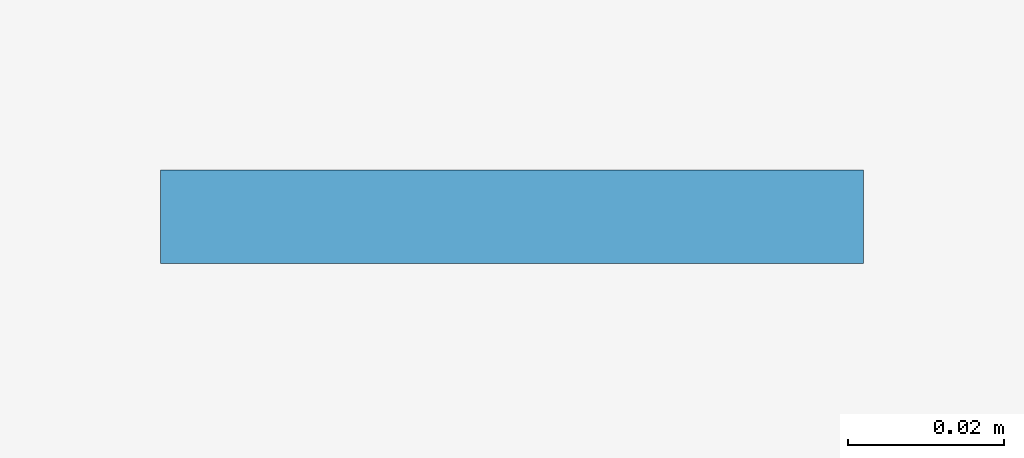
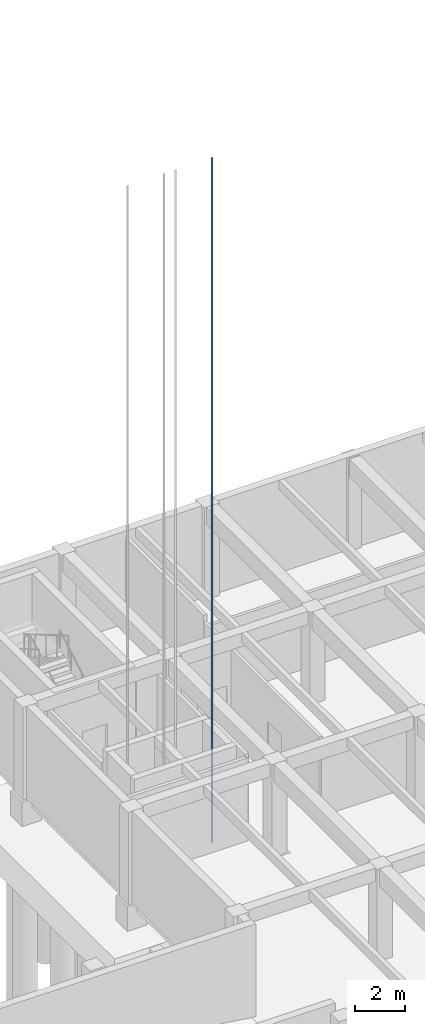
# One storey, part 12 of 44: 1 plate.
"""IFC4 building model written with IfcOpenShell, lengths in metres."""

from ifc_helpers import new_model, si_unit, direction, frame, origin, origin_2d, place, context, subcontext, project, spatial, rectangle, extrude, material, layer, layer_set, type_object, element, save


model = new_model("IFC4")

# Units and contexts
model_context = context("Model", 3, precision=1e-05, world=origin(), true_north=direction((0.0, 1.0)))
body_context = subcontext(model_context, "Body", "Model", "MODEL_VIEW")
ifc_project = project(units=[si_unit("LENGTHUNIT", "METRE"), si_unit("AREAUNIT", "SQUARE_METRE"), si_unit("VOLUMEUNIT", "CUBIC_METRE"), si_unit("PLANEANGLEUNIT", "RADIAN"), si_unit("MASSUNIT", "GRAM", prefix="KILO")], contexts=[model_context])

# Site, building, storey
site_placement = place(None, origin())
site = spatial("IfcSite", under=ifc_project, at=site_placement, CompositionType="ELEMENT")
building_placement = place(site_placement, origin())
building = spatial("IfcBuilding", under=site, at=building_placement, Name="Kolvaren Faculty of Natural Sciences", CompositionType="ELEMENT")
storey_placement = place(building_placement, frame((0.0, 0.0, -4.5)))
storey = spatial("IfcBuildingStorey", under=building, at=storey_placement, Name="B01", CompositionType="ELEMENT", Elevation=-4.5)

# Plate
ifc_material = material(Name="Structural steel EN 10025-2 S355J2", Category="steel")
ifc_layer = layer(ifc_material, 0.011962890625)
ifc_layer_set = layer_set([ifc_layer], Name="Structural steel EN 10025-2 S355J2")
plate_type = type_object("IfcPlateType", Name="LiftGuideRail_T89", PredefinedType="USERDEFINED", material=ifc_layer_set)
plate_placement = place(storey_placement, frame((38.489990234375, 28.14990234375, -0.81982421875), z_axis=(0.0, 0.0, 1.0), x_axis=(1.0, 0.0, 0.0)))
element("IfcPlate", 1, at=plate_placement, inside=storey, type_object=plate_type, Name="Lift PL-4 steel guide rail 2", ObjectType="GUIDE RAIL", PredefinedType="USERDEFINED", context=body_context, shape_type="SweptSolid", body=[
    extrude(rectangle(XDim=0.090087890625, YDim=0.011962890625, at=origin_2d()), origin(), (0.0, 0.0, 1.0), 33.320068359375),
])

save(model, "model.ifc")
